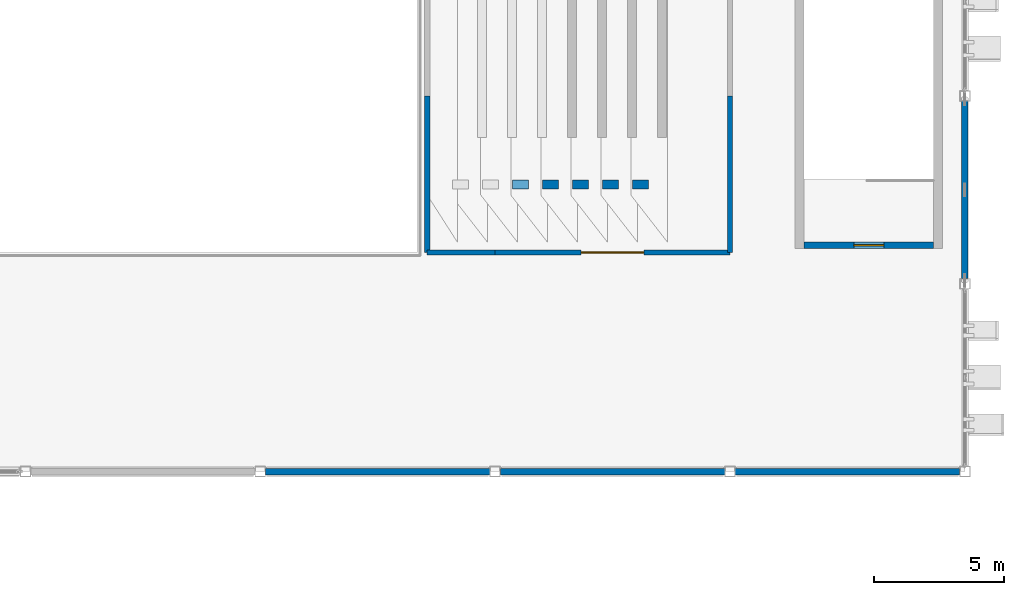
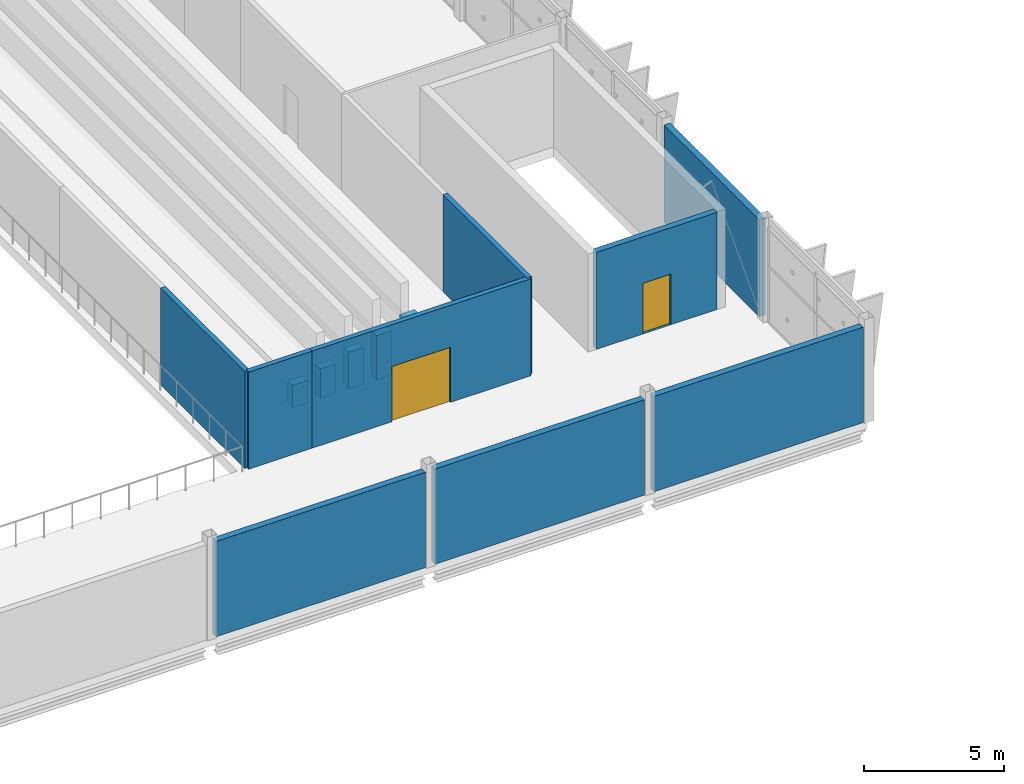
# One storey, part 115 of 151: 14 walls, 2 doors, 2 openings.
"""IFC4 building model written with IfcOpenShell, lengths in metres."""

from ifc_helpers import new_model, si_unit, direction, frame, frame_2d, origin, place, context, subcontext, project, spatial, rectangle, extrude, material, layer, layer_set, type_object, element, fill, save


model = new_model("IFC4")

# Units and contexts
model_context = context("Model", 3, precision=1e-05, world=origin(), true_north=direction((0.0, 1.0)))
body_context = subcontext(model_context, "Body", "Model", "MODEL_VIEW")
ifc_project = project(units=[si_unit("LENGTHUNIT", "METRE"), si_unit("AREAUNIT", "SQUARE_METRE"), si_unit("VOLUMEUNIT", "CUBIC_METRE"), si_unit("PLANEANGLEUNIT", "RADIAN"), si_unit("MASSUNIT", "GRAM", prefix="KILO")], contexts=[model_context])

# Site, building, storey
site_placement = place(None, origin())
site = spatial("IfcSite", under=ifc_project, at=site_placement, CompositionType="ELEMENT")
building_placement = place(site_placement, origin())
building = spatial("IfcBuilding", under=site, at=building_placement, Name="Celestram Park Convention Centre", CompositionType="ELEMENT")
storey_placement = place(building_placement, frame((0.0, 0.0, 10.800048828125)))
storey = spatial("IfcBuildingStorey", under=building, at=storey_placement, Name="L02", CompositionType="ELEMENT", Elevation=10.800048828125)

# Wall
ifc_material_1 = material(Name="Double-Stud Acoustic Gypsum Assembly", Category="gypsum")
ifc_layer_1 = layer(ifc_material_1, 0.199951171875)
ifc_layer_set_1 = layer_set([ifc_layer_1], Name="Double-Stud Acoustic Gypsum Assembly")
wall_type_1 = type_object("IfcWallType", Name="ARC-WL-ACO200", PredefinedType="PARTITIONING", material=ifc_layer_set_1)
wall_1_placement = place(storey_placement, frame((195.39990234375, 123.60009765625, 0.0), z_axis=(0.0, 0.0, 1.0), x_axis=(1.0, 0.0, 0.0)))
element("IfcWall", 1, at=wall_1_placement, inside=storey, type_object=wall_type_1, Name="Interior partition WL-L02-IN0807", PredefinedType="PARTITIONING", context=body_context, shape_type="SweptSolid", body=[
    extrude(rectangle(XDim=2.60009765625, YDim=0.199951171875, at=frame_2d((1.300048828125, 0.0))), origin(), (0.0, 0.0, 1.0), 4.219970703125),
])

# Wall, opening, door
wall_2_placement = place(storey_placement, frame((198.0, 123.60009765625, 0.0), z_axis=(0.0, 0.0, 1.0), x_axis=(1.0, 0.0, 0.0)))
wall_2 = element("IfcWall", 2, at=wall_2_placement, inside=storey, type_object=wall_type_1, Name="Interior partition WL-L02-IN0808", PredefinedType="PARTITIONING", context=body_context, shape_type="SweptSolid", body=[
    extrude(rectangle(XDim=9.0, YDim=0.199951171875, at=frame_2d((4.5, 0.0))), origin(), (0.0, 0.0, 1.0), 4.219970703125),
])
opening_1_placement = place(wall_2_placement, frame((3.300048828125, 0.0, 0.0)))
opening_1 = element("IfcOpeningElement", 3, at=opening_1_placement, cuts=wall_2, Name="Opening D-01", PredefinedType="OPENING", context=body_context, shape_type="SweptSolid", body=[
    extrude(rectangle(XDim=2.39990234375, YDim=2.39990234375, at=frame_2d((1.199951171875, 1.199951171875))), frame((0.0, 0.10986328125, 0.0), z_axis=(0.0, -1.0, 0.0), x_axis=(1.0, 0.0, 0.0)), (0.0, 0.0, 1.0), 0.219970703125),
])
ifc_material_2 = material(Name="Acoustic Timber Veneer Double Door", Category="wood")
door_type_1 = type_object("IfcDoorType", Name="ARC-DR-ASM240", OperationType="NOTDEFINED", PredefinedType="DOOR", material=ifc_material_2)
door_1_placement = place(opening_1_placement, origin())
door_1 = element("IfcDoor", 4, at=door_1_placement, inside=storey, type_object=door_type_1, Name="Plenary Balcony Tiered Seating entrance door", OperationType="DOUBLE_DOOR_SINGLE_SWING", OverallHeight=2.39990234375, OverallWidth=2.39990234375, PredefinedType="DOOR", context=body_context, shape_type="SweptSolid", body=[
    extrude(rectangle(XDim=2.39990234375, YDim=2.39990234375, at=frame_2d((1.199951171875, 1.199951171875))), frame((0.0, 0.02490234375, 0.0), z_axis=(0.0, -1.0, 0.0), x_axis=(1.0, 0.0, 0.0)), (0.0, 0.0, 1.0), 0.050048828125),
])
fill(opening_1, door_1)

# Walls
for number, where, z_axis, x_axis, name in (
    (5, (195.39990234375, 123.60009765625, 0.0), (0.0, 0.0, 1.0), (0.0, 1.0, 0.0), "Interior partition WL-L02-IN0862"),
    (6, (207.0, 123.60009765625, 0.0), (0.0, 0.0, 1.0), (0.0, 1.0, 0.0), "Interior partition WL-L02-IN0873"),
):
    element("IfcWall", number, at=place(storey_placement, frame(where, z_axis=z_axis, x_axis=x_axis)), inside=storey, type_object=wall_type_1, Name=name, PredefinedType="PARTITIONING", context=body_context, shape_type="SweptSolid", body=[
        extrude(rectangle(XDim=6.0, YDim=0.199951171875, at=frame_2d((3.0, 0.0))), origin(), (0.0, 0.0, 1.0), 4.219970703125),
    ])

# Wall, opening, door
ifc_material_3 = material(Name="Concrete Block Masonry C25/30", Category="masonry")
ifc_layer_2 = layer(ifc_material_3, 0.25)
ifc_layer_set_2 = layer_set([ifc_layer_2], Name="Concrete Block Masonry C25/30")
wall_type_2 = type_object("IfcWallType", Name="ARC-WL-COR250", PredefinedType="STANDARD", material=ifc_layer_set_2)
wall_3_placement = place(storey_placement, frame((209.840087890625, 123.875, 0.0), z_axis=(0.0, 0.0, 1.0), x_axis=(1.0, 0.0, 0.0)))
wall_3 = element("IfcWall", 7, at=wall_3_placement, inside=storey, type_object=wall_type_2, Name="Core S08 stair entrance wall", PredefinedType="STANDARD", context=body_context, shape_type="SweptSolid", body=[
    extrude(rectangle(XDim=4.9599609375, YDim=0.25, at=frame_2d((2.47998046875, 0.0))), origin(), (0.0, 0.0, 1.0), 4.219970703125),
])
opening_2_placement = place(wall_3_placement, frame((1.905029296875, 0.0, 0.0)))
opening_2 = element("IfcOpeningElement", 8, at=opening_2_placement, cuts=wall_3, Name="Opening D-ST1", PredefinedType="OPENING", context=body_context, shape_type="SweptSolid", body=[
    extrude(rectangle(XDim=1.14990234375, YDim=2.199951171875, at=frame_2d((0.574951171875, 1.10009765625))), frame((0.0, 0.135009765625, 0.0), z_axis=(0.0, -1.0, 0.0), x_axis=(1.0, 0.0, 0.0)), (0.0, 0.0, 1.0), 0.27001953125),
])
ifc_material_4 = material(Name="Fire-Rated Hollow Metal Steel ASTM A653", Category="steel")
door_type_2 = type_object("IfcDoorType", Name="ARC-DR-ST115", OperationType="NOTDEFINED", PredefinedType="DOOR", material=ifc_material_4)
door_2_placement = place(opening_2_placement, origin())
door_2 = element("IfcDoor", 9, at=door_2_placement, inside=storey, type_object=door_type_2, Name="Exit stair ST-08 fire door", OperationType="SINGLE_SWING_RIGHT", OverallHeight=2.199951171875, OverallWidth=1.14990234375, PredefinedType="DOOR", context=body_context, shape_type="SweptSolid", body=[
    extrude(rectangle(XDim=1.14990234375, YDim=2.199951171875, at=frame_2d((0.574951171875, 1.10009765625))), frame((0.0, 0.02490234375, 0.0), z_axis=(0.0, -1.0, 0.0), x_axis=(1.0, 0.0, 0.0)), (0.0, 0.0, 1.0), 0.050048828125),
])
fill(opening_2, door_2)

# Walls
ifc_material_5 = material(Name="Precast Concrete C40/50", Category="concrete")
ifc_layer_3 = layer(ifc_material_5, 0.260009765625)
ifc_layer_set_3 = layer_set([ifc_layer_3], Name="Precast Concrete C40/50")
wall_type_3 = type_object("IfcWallType", Name="ARC-WL-EXT260", PredefinedType="STANDARD", material=ifc_layer_set_3)
wall_4_placement = place(storey_placement, frame((216.0, 129.402099609375, 0.0), z_axis=(0.0, 0.0, 1.0), x_axis=(0.0, -1.0, 0.0)))
element("IfcWall", 10, at=wall_4_placement, inside=storey, type_object=wall_type_3, Name="Bush-hammered precast exterior wall WL-L02-EW162", PredefinedType="STANDARD", context=body_context, shape_type="SweptSolid", body=[
    extrude(rectangle(XDim=6.80419921875, YDim=0.260009765625, at=frame_2d((3.402099609375, 0.0))), origin(), (0.0, 0.0, 1.0), 4.219970703125),
])
for number, where, z_axis, x_axis, name in (
    (11, (215.802001953125, 115.199951171875, 0.0), (0.0, 0.0, 1.0), (-1.0, 0.0, 0.0), "Bush-hammered precast exterior wall WL-L02-EW163"),
    (12, (206.802001953125, 115.199951171875, 0.0), (0.0, 0.0, 1.0), (-1.0, 0.0, 0.0), "Bush-hammered precast exterior wall WL-L02-EW164"),
    (13, (197.802001953125, 115.199951171875, 0.0), (0.0, 0.0, 1.0), (-1.0, 0.0, 0.0), "Bush-hammered precast exterior wall WL-L02-EW165"),
):
    element("IfcWall", number, at=place(storey_placement, frame(where, z_axis=z_axis, x_axis=x_axis)), inside=storey, type_object=wall_type_3, Name=name, PredefinedType="STANDARD", context=body_context, shape_type="SweptSolid", body=[
        extrude(rectangle(XDim=8.60400390625, YDim=0.260009765625, at=frame_2d((4.302001953125, 0.0))), origin(), (0.0, 0.0, 1.0), 4.14404296875),
    ])
ifc_material_6 = material(Name="Concrete C40/50", Category="concrete")
ifc_layer_4 = layer(ifc_material_6, 0.340087890625)
ifc_layer_set_4 = layer_set([ifc_layer_4], Name="Concrete C40/50")
wall_type_4 = type_object("IfcWallType", Name="STR-WL-SHR340", PredefinedType="SHEAR", material=ifc_layer_set_4)
wall_5_placement = place(storey_placement, frame((198.659912109375, 126.199951171875, 0.0), z_axis=(0.0, 0.0, 1.0), x_axis=(1.0, 0.0, 0.0)))
element("IfcWall", 14, at=wall_5_placement, inside=storey, type_object=wall_type_4, Name="Plenary balcony raker wall 4S", PredefinedType="SHEAR", context=body_context, shape_type="SweptSolid", body=[
    extrude(rectangle(XDim=0.6201171875, YDim=0.340087890625, at=frame_2d((0.31005859375, 0.0))), origin(), (0.0, 0.0, 1.0), 0.9599609375),
])
wall_6_placement = place(storey_placement, frame((199.81005859375, 126.199951171875, 0.0), z_axis=(0.0, 0.0, 1.0), x_axis=(1.0, 0.0, 0.0)))
element("IfcWall", 15, at=wall_6_placement, inside=storey, type_object=wall_type_4, Name="Plenary balcony raker wall 5S", PredefinedType="SHEAR", context=body_context, shape_type="SweptSolid", body=[
    extrude(rectangle(XDim=0.619873046875, YDim=0.340087890625, at=frame_2d((0.31005859375, 0.0))), origin(), (0.0, 0.0, 1.0), 1.280029296875),
])
wall_7_placement = place(storey_placement, frame((200.9599609375, 126.199951171875, 0.0), z_axis=(0.0, 0.0, 1.0), x_axis=(1.0, 0.0, 0.0)))
element("IfcWall", 16, at=wall_7_placement, inside=storey, type_object=wall_type_4, Name="Plenary balcony raker wall 6S", PredefinedType="SHEAR", context=body_context, shape_type="SweptSolid", body=[
    extrude(rectangle(XDim=0.6201171875, YDim=0.340087890625, at=frame_2d((0.31005859375, 0.0))), origin(), (0.0, 0.0, 1.0), 1.599853515625),
])
wall_8_placement = place(storey_placement, frame((202.110107421875, 126.199951171875, 0.0), z_axis=(0.0, 0.0, 1.0), x_axis=(1.0, 0.0, 0.0)))
element("IfcWall", 17, at=wall_8_placement, inside=storey, type_object=wall_type_4, Name="Plenary balcony raker wall 7S", PredefinedType="SHEAR", context=body_context, shape_type="SweptSolid", body=[
    extrude(rectangle(XDim=0.619873046875, YDim=0.340087890625, at=frame_2d((0.31005859375, 0.0))), origin(), (0.0, 0.0, 1.0), 1.919921875),
])
wall_9_placement = place(storey_placement, frame((203.260009765625, 126.199951171875, 0.0), z_axis=(0.0, 0.0, 1.0), x_axis=(1.0, 0.0, 0.0)))
element("IfcWall", 18, at=wall_9_placement, inside=storey, type_object=wall_type_4, Name="Plenary balcony raker wall 8S", PredefinedType="SHEAR", context=body_context, shape_type="SweptSolid", body=[
    extrude(rectangle(XDim=0.619873046875, YDim=0.340087890625, at=frame_2d((0.31005859375, 0.0))), origin(), (0.0, 0.0, 1.0), 2.239990234375),
])

save(model, "model.ifc")
